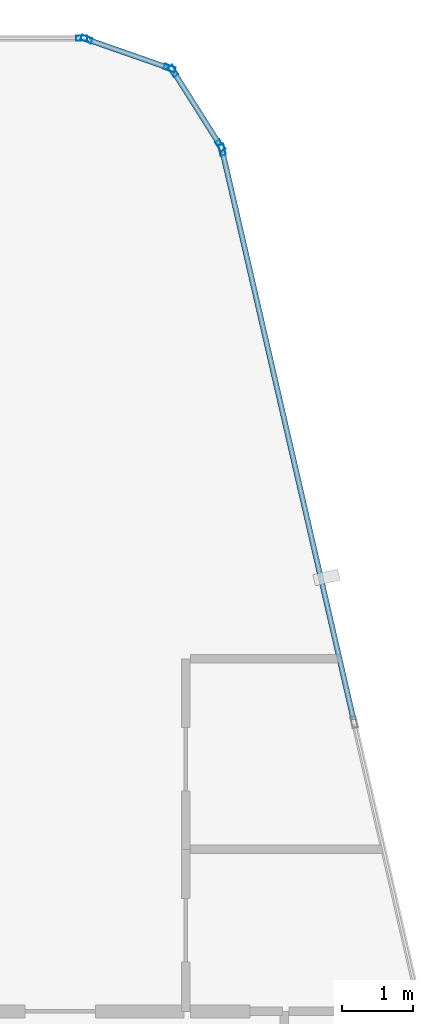
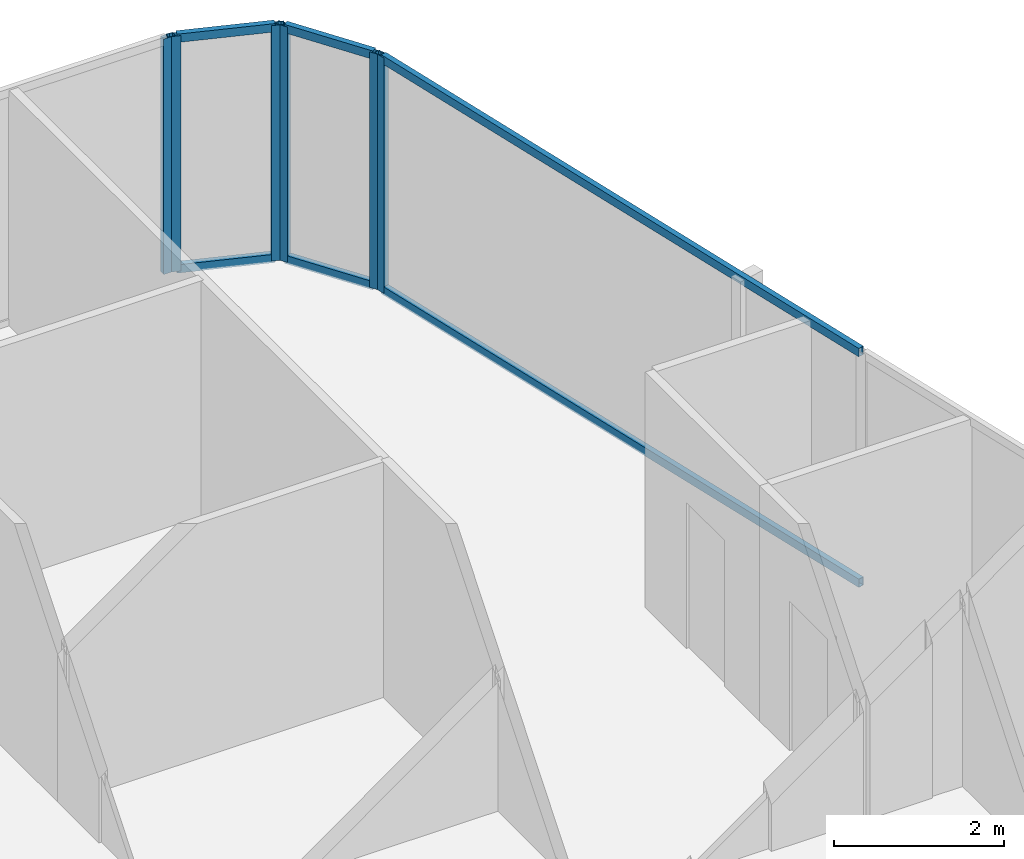
# One storey, part 21 of 29: 12 members, 4 elements without a shape of their own.
"""IFC4 building model written with IfcOpenShell, lengths in metres."""

from ifc_helpers import new_model, si_unit, direction, frame, origin, origin_2d, place, context, subcontext, project, spatial, hollow_rectangle, extrude, material, layer, layer_set, material_profile, profile_set, type_object, element, aggregate, save


model = new_model("IFC4")

# Units and contexts
model_context = context("Model", 3, precision=1e-05, world=origin(), true_north=direction((0.0, 1.0)))
body_context = subcontext(model_context, "Body", "Model", "MODEL_VIEW")
ifc_project = project(units=[si_unit("LENGTHUNIT", "METRE"), si_unit("AREAUNIT", "SQUARE_METRE"), si_unit("VOLUMEUNIT", "CUBIC_METRE"), si_unit("PLANEANGLEUNIT", "RADIAN"), si_unit("MASSUNIT", "GRAM", prefix="KILO")], contexts=[model_context])

# Site, building, storey
site_placement = place(None, origin())
site = spatial("IfcSite", under=ifc_project, at=site_placement, CompositionType="ELEMENT")
building_placement = place(site_placement, origin())
building = spatial("IfcBuilding", under=site, at=building_placement, Name="Keshet Zoharim Tower", CompositionType="ELEMENT")
storey_placement = place(building_placement, frame((0.0, 0.0, 172.800048828125)))
storey = spatial("IfcBuildingStorey", under=building, at=storey_placement, Name="L42", CompositionType="ELEMENT", Elevation=172.800048828125)

# Curtain wall, member
ifc_material = material(Name="Aluminium 6063-T6", Category="aluminium")
ifc_layer = layer(ifc_material, 0.139892578125)
ifc_layer_set = layer_set([ifc_layer], Name="Aluminium 6063-T6")
curtain_wall_type = type_object("IfcCurtainWallType", Name="CW-SYS-05", PredefinedType="NOTDEFINED", material=ifc_layer_set)
curtain_wall_1_placement = place(storey_placement, origin())
curtain_wall_1 = element("IfcCurtainWall", 1, at=curtain_wall_1_placement, inside=storey, type_object=curtain_wall_type, Name="L42 Unitised Curtain Wall 16 Part 3", PredefinedType="NOTDEFINED")
ifc_material_profile_1 = material_profile(ifc_material, hollow_rectangle(XDim=0.074951171875, YDim=0.159912109375, WallThickness=0.00390625, at=origin_2d()), Name="MUL-75x160")
ifc_profile_set_1 = profile_set([ifc_material_profile_1], Name="Aluminium 6063-T6")
member_type_1 = type_object("IfcMemberType", Name="CWM-M15", PredefinedType="MULLION", material=ifc_profile_set_1)
member_1_placement = place(storey_placement, frame((37.3740234375, 53.89990234375, 0.0), z_axis=(0.0, 0.0, 1.0), x_axis=(0.0, 1.0, 0.0)))
member_1 = element("IfcMember", 2, at=member_1_placement, type_object=member_type_1, Name="CW-05 mullion 3", PredefinedType="MULLION", context=body_context, shape_type="SweptSolid", body=[
    extrude(hollow_rectangle(XDim=0.074951171875, YDim=0.159912109375, WallThickness=0.00390625, at=origin_2d()), origin(), (0.0, 0.0, 1.0), 3.389892578125),
])
aggregate(curtain_wall_1, [member_1])

# Curtain wall, members
curtain_wall_2_placement = place(storey_placement, origin())
curtain_wall_2 = element("IfcCurtainWall", 3, at=curtain_wall_2_placement, inside=storey, type_object=curtain_wall_type, Name="L42 Unitised Curtain Wall 17", PredefinedType="NOTDEFINED")
member_2_placement = place(storey_placement, frame((37.442138671875, 53.888427734375, 0.0), z_axis=(0.0, 0.0, 1.0), x_axis=(0.329843743636, 0.944035542119, 0.0)))
member_2 = element("IfcMember", 4, at=member_2_placement, type_object=member_type_1, Name="CW-05 mullion 1", PredefinedType="MULLION", context=body_context, shape_type="SweptSolid", body=[
    extrude(hollow_rectangle(XDim=0.074951171875, YDim=0.159912109375, WallThickness=0.00390625, at=origin_2d()), origin(), (0.0, 0.0, 1.0), 3.389892578125),
])
member_3_placement = place(storey_placement, frame((38.620849609375, 53.4765625, 0.0), z_axis=(0.0, 0.0, 1.0), x_axis=(0.329843743636, 0.944035542119, 0.0)))
member_3 = element("IfcMember", 5, at=member_3_placement, type_object=member_type_1, Name="CW-05 mullion 2", PredefinedType="MULLION", context=body_context, shape_type="SweptSolid", body=[
    extrude(hollow_rectangle(XDim=0.074951171875, YDim=0.159912109375, WallThickness=0.00390625, at=origin_2d()), origin(), (0.0, 0.0, 1.0), 3.389892578125),
])

curtain_wall_3_placement = place(storey_placement, origin())
curtain_wall_3 = element("IfcCurtainWall", 6, at=curtain_wall_3_placement, inside=storey, type_object=curtain_wall_type, Name="L42 Unitised Curtain Wall 18", PredefinedType="NOTDEFINED")
member_4_placement = place(storey_placement, frame((38.672607421875, 53.435302734375, 0.0), z_axis=(0.0, 0.0, 1.0), x_axis=(0.845560976183, 0.533878858502, 0.0)))
member_4 = element("IfcMember", 7, at=member_4_placement, type_object=member_type_1, Name="CW-05 mullion 1", PredefinedType="MULLION", context=body_context, shape_type="SweptSolid", body=[
    extrude(hollow_rectangle(XDim=0.074951171875, YDim=0.159912109375, WallThickness=0.00390625, at=origin_2d()), origin(), (0.0, 0.0, 1.0), 3.389892578125),
])
member_5_placement = place(storey_placement, frame((39.33935546875, 52.379638671875, 0.0), z_axis=(0.0, 0.0, 1.0), x_axis=(0.845560976183, 0.533878858502, 0.0)))
member_5 = element("IfcMember", 8, at=member_5_placement, type_object=member_type_1, Name="CW-05 mullion 2", PredefinedType="MULLION", context=body_context, shape_type="SweptSolid", body=[
    extrude(hollow_rectangle(XDim=0.074951171875, YDim=0.159912109375, WallThickness=0.00390625, at=origin_2d()), origin(), (0.0, 0.0, 1.0), 3.389892578125),
])

# Curtain wall, member
curtain_wall_4_placement = place(storey_placement, origin())
curtain_wall_4 = element("IfcCurtainWall", 9, at=curtain_wall_4_placement, inside=storey, type_object=curtain_wall_type, Name="L42 Unitised Curtain Wall 19", PredefinedType="NOTDEFINED")
member_6_placement = place(storey_placement, frame((39.365966796875, 52.31591796875, 0.0), z_axis=(0.0, 0.0, 1.0), x_axis=(0.974393882313, 0.224847864369, 0.0)))
member_6 = element("IfcMember", 10, at=member_6_placement, type_object=member_type_1, Name="CW-05 mullion 1", PredefinedType="MULLION", context=body_context, shape_type="SweptSolid", body=[
    extrude(hollow_rectangle(XDim=0.074951171875, YDim=0.159912109375, WallThickness=0.00390625, at=origin_2d()), origin(), (0.0, 0.0, 1.0), 3.389892578125),
])

# Member
ifc_material_profile_2 = material_profile(ifc_material, hollow_rectangle(XDim=0.074951171875, YDim=0.1201171875, WallThickness=0.00390625, at=origin_2d()), Name="TRN-75x120")
ifc_profile_set_2 = profile_set([ifc_material_profile_2], Name="Aluminium 6063-T6")
member_type_2 = type_object("IfcMemberType", Name="CWT-T12", PredefinedType="USERDEFINED", material=ifc_profile_set_2)
member_7_placement = place(storey_placement, frame((37.47509765625, 53.876953125, 0.034912109375), z_axis=(0.944006789648, -0.329926023675, 0.0), x_axis=(0.329926023675, 0.944006789648, 0.0)))
member_7 = element("IfcMember", 11, at=member_7_placement, type_object=member_type_2, Name="CW-05 transom 1.1", ObjectType="TRANSOM", PredefinedType="USERDEFINED", context=body_context, shape_type="SweptSolid", body=[
    extrude(hollow_rectangle(XDim=0.074951171875, YDim=0.1201171875, WallThickness=0.00390625, at=origin_2d()), origin(), (0.0, 0.0, 1.0), 1.1787109375),
])

member_8_placement = place(storey_placement, frame((37.47509765625, 53.876953125, 3.35498046875), z_axis=(0.944006789648, -0.329926023675, 0.0), x_axis=(0.329926023675, 0.944006789648, 0.0)))
member_8 = element("IfcMember", 12, at=member_8_placement, type_object=member_type_2, Name="CW-05 transom 1.2", ObjectType="TRANSOM", PredefinedType="USERDEFINED", context=body_context, shape_type="SweptSolid", body=[
    extrude(hollow_rectangle(XDim=0.074951171875, YDim=0.1201171875, WallThickness=0.00390625, at=origin_2d()), origin(), (0.0, 0.0, 1.0), 1.1787109375),
])

aggregate(curtain_wall_2, [member_2, member_3, member_7, member_8])

member_9_placement = place(storey_placement, frame((38.69140625, 53.40576171875, 0.034912109375), z_axis=(0.53382931122, -0.845592257819, 0.0), x_axis=(0.845592257819, 0.53382931122, 0.0)))
member_9 = element("IfcMember", 13, at=member_9_placement, type_object=member_type_2, Name="CW-05 transom 1.1", ObjectType="TRANSOM", PredefinedType="USERDEFINED", context=body_context, shape_type="SweptSolid", body=[
    extrude(hollow_rectangle(XDim=0.074951171875, YDim=0.1201171875, WallThickness=0.00390625, at=origin_2d()), origin(), (0.0, 0.0, 1.0), 1.178466796875),
])

member_10_placement = place(storey_placement, frame((38.69140625, 53.40576171875, 3.35498046875), z_axis=(0.53382931122, -0.845592257819, 0.0), x_axis=(0.845592257819, 0.53382931122, 0.0)))
member_10 = element("IfcMember", 14, at=member_10_placement, type_object=member_type_2, Name="CW-05 transom 1.2", ObjectType="TRANSOM", PredefinedType="USERDEFINED", context=body_context, shape_type="SweptSolid", body=[
    extrude(hollow_rectangle(XDim=0.074951171875, YDim=0.1201171875, WallThickness=0.00390625, at=origin_2d()), origin(), (0.0, 0.0, 1.0), 1.178466796875),
])

aggregate(curtain_wall_3, [member_4, member_5, member_9, member_10])

member_11_placement = place(storey_placement, frame((39.373779296875, 52.28173828125, 0.034912109375), z_axis=(0.224835758738, -0.974396675688, 0.0), x_axis=(0.974396675688, 0.224835758738, 0.0)))
member_11 = element("IfcMember", 15, at=member_11_placement, type_object=member_type_2, Name="CW-05 transom 1.1", ObjectType="TRANSOM", PredefinedType="USERDEFINED", context=body_context, shape_type="SweptSolid", body=[
    extrude(hollow_rectangle(XDim=0.074951171875, YDim=0.1201171875, WallThickness=0.00390625, at=origin_2d()), origin(), (0.0, 0.0, 1.0), 8.259033203125),
])

member_12_placement = place(storey_placement, frame((39.373779296875, 52.28173828125, 3.35498046875), z_axis=(0.224835758738, -0.974396675688, 0.0), x_axis=(0.974396675688, 0.224835758738, 0.0)))
member_12 = element("IfcMember", 16, at=member_12_placement, type_object=member_type_2, Name="CW-05 transom 1.2", ObjectType="TRANSOM", PredefinedType="USERDEFINED", context=body_context, shape_type="SweptSolid", body=[
    extrude(hollow_rectangle(XDim=0.074951171875, YDim=0.1201171875, WallThickness=0.00390625, at=origin_2d()), origin(), (0.0, 0.0, 1.0), 8.259033203125),
])

aggregate(curtain_wall_4, [member_6, member_11, member_12])

save(model, "model.ifc")
